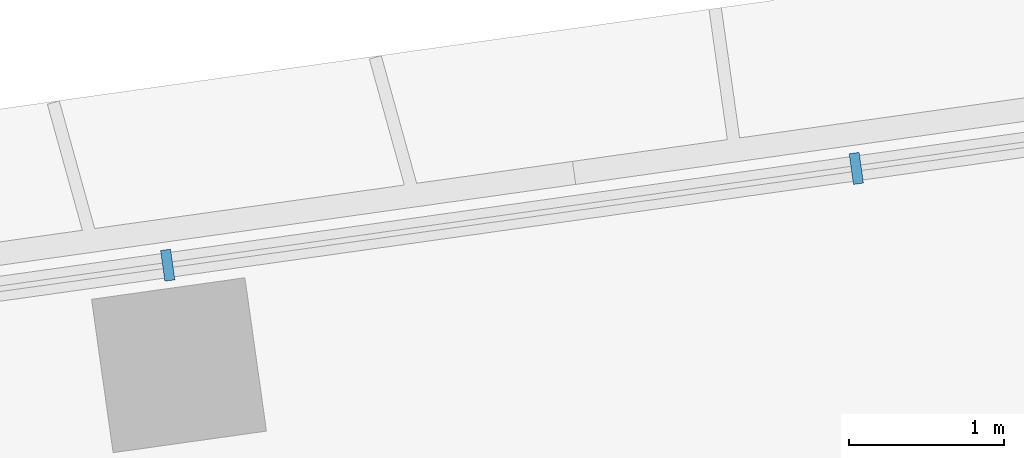
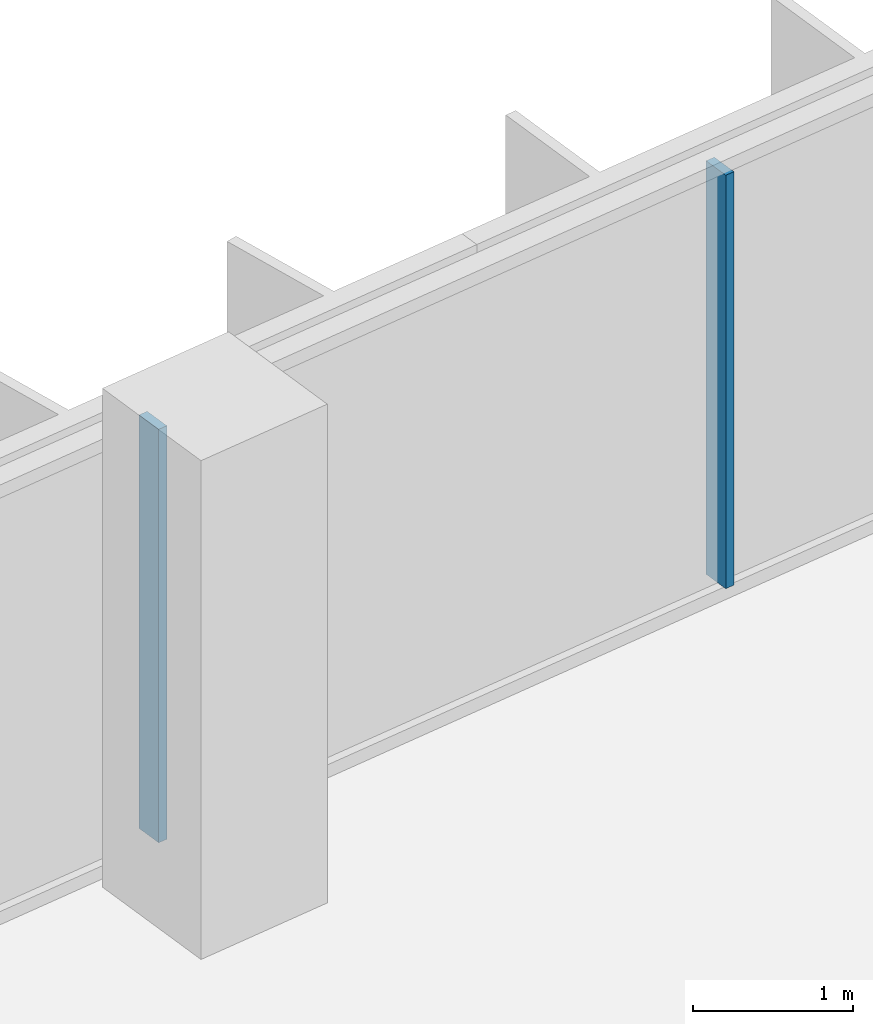
# One storey, part 8 of 24: 2 members, 1 element without a shape of its own.
"""IFC4 building model written with IfcOpenShell, lengths in metres."""

from ifc_helpers import new_model, si_unit, direction, frame, origin, origin_2d, place, context, subcontext, project, spatial, rectangle, extrude, material, material_profile, profile_set, type_object, element, aggregate, save


model = new_model("IFC4")

# Units and contexts
model_context = context("Model", 3, precision=1e-05, world=origin(), true_north=direction((0.0, 1.0)))
body_context = subcontext(model_context, "Body", "Model", "MODEL_VIEW")
ifc_project = project(units=[si_unit("LENGTHUNIT", "METRE"), si_unit("AREAUNIT", "SQUARE_METRE"), si_unit("VOLUMEUNIT", "CUBIC_METRE"), si_unit("PLANEANGLEUNIT", "RADIAN"), si_unit("MASSUNIT", "GRAM", prefix="KILO")], contexts=[model_context])

# Site, building, storey
site_placement = place(None, origin())
site = spatial("IfcSite", under=ifc_project, at=site_placement, CompositionType="ELEMENT")
building_placement = place(site_placement, origin())
building = spatial("IfcBuilding", under=site, at=building_placement, Name="Mirante Cascada Hotel Towers", CompositionType="ELEMENT")
storey_placement = place(building_placement, frame((0.0, 0.0, 77.5)))
storey = spatial("IfcBuildingStorey", under=building, at=storey_placement, Name="L16", CompositionType="ELEMENT", Elevation=77.5)

# Curtain wall, members
ifc_material_1 = material(Name="Aluminium mullion and transom frame with clear laminated glass", Category="aluminium")
curtain_wall_type = type_object("IfcCurtainWallType", Name="Ribbon curtain wall ECW1", PredefinedType="NOTDEFINED", material=ifc_material_1)
curtain_wall_placement = place(storey_placement, origin())
curtain_wall = element("IfcCurtainWall", 1, at=curtain_wall_placement, inside=storey, type_object=curtain_wall_type, Name="Front ribbon wall T2 L16", PredefinedType="NOTDEFINED")
ifc_material_2 = material(Name="Anodised aluminium extrusion", Category="aluminium")
ifc_material_profile = material_profile(ifc_material_2, rectangle(XDim=0.2, YDim=0.065, at=origin_2d()), Name="ECW1 MULLION 65x200")
ifc_profile_set = profile_set([ifc_material_profile], Name="Anodised aluminium extrusion")
member_type = type_object("IfcMemberType", Name="ECW1 mullion 65x200", PredefinedType="MULLION", material=ifc_profile_set)
member_1_placement = place(storey_placement, frame((58.5788, 21.0517, 0.1), z_axis=(0.0, 0.0, 1.0), x_axis=(0.1391731, -0.9902681, 0.0)))
member_1 = element("IfcMember", 2, at=member_1_placement, type_object=member_type, Name="ECW1 mullion 9", PredefinedType="MULLION", context=body_context, shape_type="SweptSolid", body=[
    extrude(rectangle(XDim=0.2, YDim=0.065, at=origin_2d()), origin(), (0.0, 0.0, 1.0), 3.15),
])
member_2_placement = place(storey_placement, frame((54.1314, 20.4267, 0.1), z_axis=(0.0, 0.0, 1.0), x_axis=(0.1391731, -0.9902681, 0.0)))
member_2 = element("IfcMember", 3, at=member_2_placement, type_object=member_type, Name="ECW1 mullion 10", PredefinedType="MULLION", context=body_context, shape_type="SweptSolid", body=[
    extrude(rectangle(XDim=0.2, YDim=0.065, at=origin_2d()), origin(), (0.0, 0.0, 1.0), 3.15),
])
aggregate(curtain_wall, [member_1, member_2])

save(model, "model.ifc")
